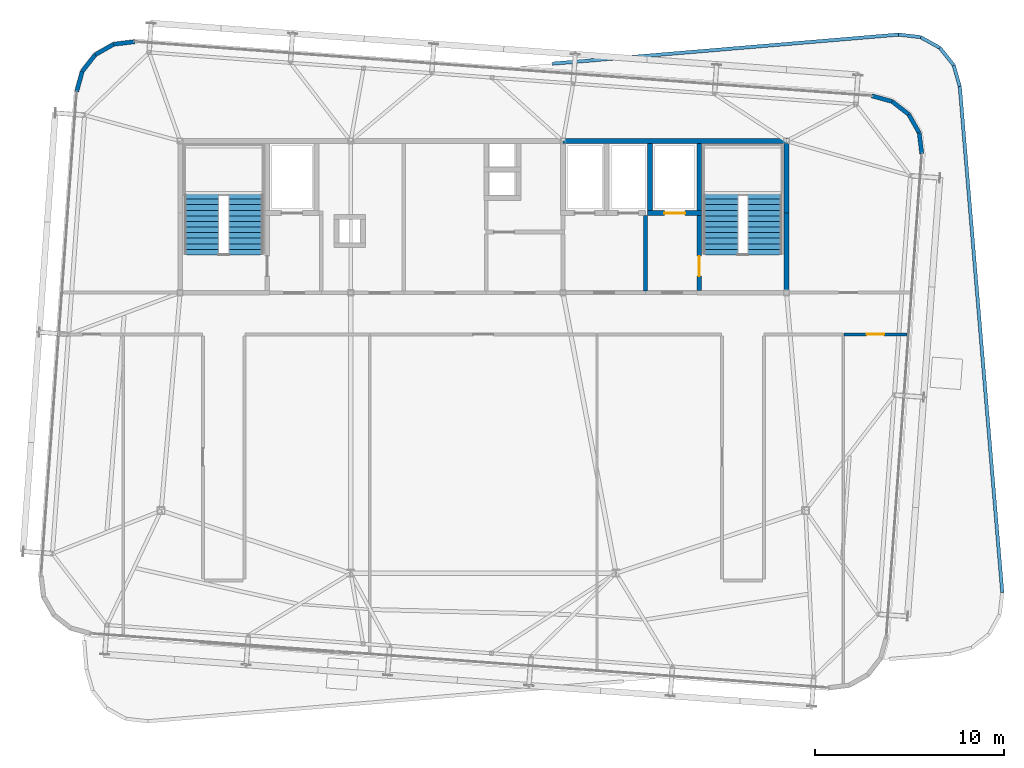
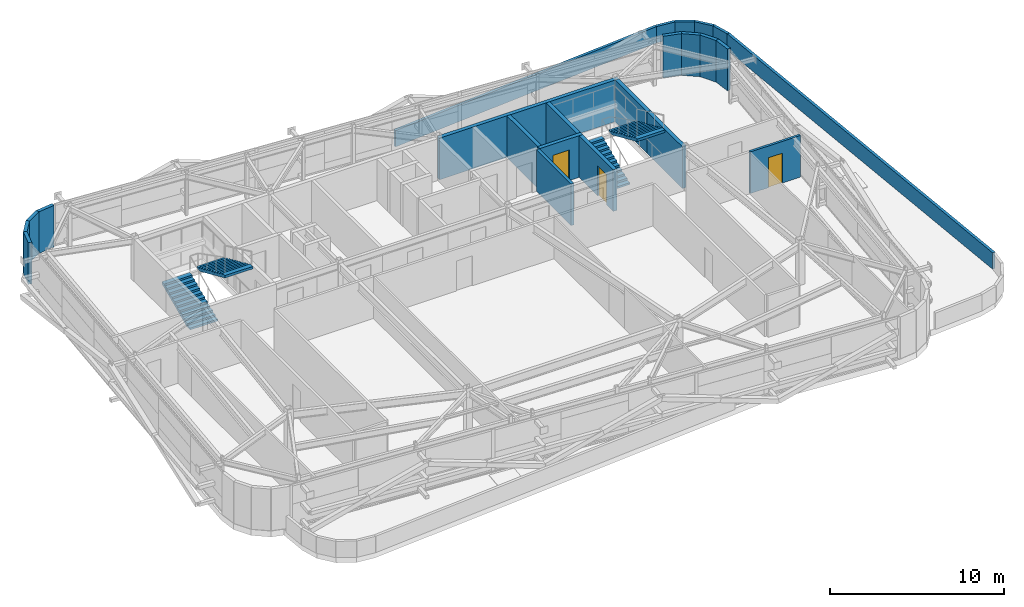
# One storey, part 35 of 37: 23 walls, 4 stair flights, 3 doors, 3 openings, 2 elements without a shape of their own.
"""IFC4 building model written with IfcOpenShell, lengths in metres."""

from ifc_helpers import new_model, si_unit, direction, frame, frame_2d, origin, place, context, subcontext, project, spatial, polyline, rectangle, outline, extrude, source, transform, mapped, material, layer, layer_set, type_object, element, fill, aggregate, save


model = new_model("IFC4")

# Units and contexts
model_context = context("Model", 3, precision=1e-05, world=origin(), true_north=direction((0.0, 1.0)))
body_context = subcontext(model_context, "Body", "Model", "MODEL_VIEW")
ifc_project = project(units=[si_unit("LENGTHUNIT", "METRE"), si_unit("AREAUNIT", "SQUARE_METRE"), si_unit("VOLUMEUNIT", "CUBIC_METRE"), si_unit("PLANEANGLEUNIT", "RADIAN"), si_unit("MASSUNIT", "GRAM", prefix="KILO")], contexts=[model_context])

# Site, building, storey
site_placement = place(None, origin())
site = spatial("IfcSite", under=ifc_project, at=site_placement, CompositionType="ELEMENT")
building_placement = place(site_placement, origin())
building = spatial("IfcBuilding", under=site, at=building_placement, Name="Taldren Reach Tower", CompositionType="ELEMENT")
storey_placement = place(building_placement, frame((0.0, 0.0, 211.39990234375)))
storey = spatial("IfcBuildingStorey", under=building, at=storey_placement, Name="L64", CompositionType="ELEMENT", Elevation=211.39990234375)

# Walls
ifc_material_1 = material(Name="Pale Champagne Anodised Aluminium Cladding", Category="aluminium")
ifc_layer_1 = layer(ifc_material_1, 0.04, Name="Pale Champagne Anodised Aluminium Cladding", Category="aluminium")
ifc_material_2 = material(Name="Mineral Wool Acoustic Insulation", Category="insulation")
ifc_layer_2 = layer(ifc_material_2, 0.06, Name="Mineral Wool Acoustic Insulation", Category="insulation")
ifc_material_3 = material(Name="Steel Gr 350 (C350L0)", Category="steel")
ifc_layer_3 = layer(ifc_material_3, 0.12, Name="Steel Gr 350 (C350L0)", Category="steel")
ifc_layer_set_1 = layer_set([ifc_layer_1, ifc_layer_2, ifc_layer_3], Name="Pale Champagne Aluminium Cladding and Steel Gr 350 Stud Framing")
wall_type_1 = type_object("IfcWallType", Name="EW-CRN-220", PredefinedType="SOLIDWALL", material=ifc_layer_set_1)
shared_shape_1 = source(origin(), body_context, "Body", "SweptSolid", [
    extrude(rectangle(XDim=1.115966796875, YDim=0.219970703125, at=frame_2d((0.55810546875, 0.0))), origin(), (0.0, 0.0, 1.0), 2.93017578125),
])
for number, where, z_axis, x_axis, name in (
    (1, (58.137451171875, 31.328125, 0.0), (0.0, 0.0, 1.0), (-0.122742076028, 0.992438604032, 0.0), "Rounded-corner pale-metal facade wall L64-NE1"),
    (2, (57.4501953125, 33.40625, 0.0), (0.0, 0.0, 1.0), (-0.788597772321, 0.614909386406, 0.0), "Rounded-corner pale-metal facade wall L64-NE3"),
    (3, (14.52099609375, 36.558837890625, 0.0), (0.0, 0.0, 1.0), (-0.614909386406, -0.788597772321, 0.0), "Rounded-corner pale-metal facade wall L64-NW3"),
):
    element("IfcWall", number, at=place(storey_placement, frame(where, z_axis=z_axis, x_axis=x_axis)), inside=storey, type_object=wall_type_1, Name=name, PredefinedType="SOLIDWALL", context=body_context, shape_type="MappedRepresentation", body=[
        mapped(shared_shape_1, transform((0.0, 0.0, 0.0), scale=1.0)),
    ])
shared_shape_2 = source(origin(), body_context, "Body", "SweptSolid", [
    extrude(rectangle(XDim=1.11572265625, YDim=0.219970703125, at=frame_2d((0.557861328125, 0.0))), origin(), (0.0, 0.0, 1.0), 2.93017578125),
])
for number, where, z_axis, x_axis, name in (
    (4, (58.00048828125, 32.435546875, 0.0), (0.0, 0.0, 1.0), (-0.493167138628, 0.869934579941, 0.0), "Rounded-corner pale-metal facade wall L64-NE2"),
    (5, (56.570068359375, 34.092529296875, 0.0), (0.0, 0.0, 1.0), (-0.963833843713, 0.266503886865, 0.0), "Rounded-corner pale-metal facade wall L64-NE4"),
    (6, (15.49169921875, 37.109130859375, 0.0), (0.0, 0.0, 1.0), (-0.869934579941, -0.493167138628, 0.0), "Rounded-corner pale-metal facade wall L64-NW2"),
    (7, (13.834716796875, 35.6787109375, 0.0), (0.0, 0.0, 1.0), (-0.266300605026, -0.963890028874, 0.0), "Rounded-corner pale-metal facade wall L64-NW4"),
):
    element("IfcWall", number, at=place(storey_placement, frame(where, z_axis=z_axis, x_axis=x_axis)), inside=storey, type_object=wall_type_1, Name=name, PredefinedType="SOLIDWALL", context=body_context, shape_type="MappedRepresentation", body=[
        mapped(shared_shape_2, transform((0.0, 0.0, 0.0), scale=1.0)),
    ])
shared_shape_3 = source(origin(), body_context, "Body", "SweptSolid", [
    extrude(rectangle(XDim=1.1162109375, YDim=0.219970703125, at=frame_2d((0.55810546875, 0.0))), origin(), (0.0, 0.0, 1.0), 2.93017578125),
])
wall_1_placement = place(storey_placement, frame((16.599365234375, 37.24609375, 0.0), z_axis=(0.0, 0.0, 1.0), x_axis=(-0.992441899189, -0.122715429897, 0.0)))
element("IfcWall", 8, at=wall_1_placement, inside=storey, type_object=wall_type_1, Name="Rounded-corner pale-metal facade wall L64-NW1", PredefinedType="SOLIDWALL", context=body_context, shape_type="MappedRepresentation", body=[
    mapped(shared_shape_3, transform((0.0, 0.0, 0.0), scale=1.0)),
])
ifc_layer_4 = layer(ifc_material_1, 0.03, Name="Pale Champagne Anodised Aluminium Cladding", Category="aluminium")
ifc_material_4 = material(Name="Concrete N40 (40 MPa)", Category="concrete")
ifc_layer_5 = layer(ifc_material_4, 0.15, Name="Concrete N40 (40 MPa)", Category="concrete")
ifc_layer_set_2 = layer_set([ifc_layer_4, ifc_layer_5], Name="Pale Champagne Aluminium Coping and Concrete 40 MPa (N40) Parapet")
wall_type_2 = type_object("IfcWallType", Name="EW-PAR-180", PredefinedType="PARAPET", material=ifc_layer_set_2)
shared_shape_4 = source(origin(), body_context, "Body", "SweptSolid", [
    extrude(rectangle(XDim=1.17041015625, YDim=0.179931640625, at=frame_2d((0.585205078125, 0.0))), origin(), (0.0, 0.0, 1.0), 1.150146484375),
])
for number, where, z_axis, x_axis, name in (
    (9, (58.06640625, 37.489013671875, 0.0), (0.0, 0.0, 1.0), (0.875090435265, -0.48395943023, 0.0), "Setback planter parapet wall L64-1.1"),
    (10, (56.9033203125, 37.62060546875, 0.0), (0.0, 0.0, 1.0), (0.993660444097, -0.112422959565, 0.0), "Setback planter parapet wall L64-1.11"),
):
    element("IfcWall", number, at=place(storey_placement, frame(where, z_axis=z_axis, x_axis=x_axis)), inside=storey, type_object=wall_type_2, Name=name, PredefinedType="PARAPET", context=body_context, shape_type="MappedRepresentation", body=[
        mapped(shared_shape_4, transform((0.0, 0.0, 0.0), scale=1.0)),
    ])
shared_shape_5 = source(origin(), body_context, "Body", "SweptSolid", [
    extrude(rectangle(XDim=1.170654296875, YDim=0.179931640625, at=frame_2d((0.58544921875, 0.0))), origin(), (0.0, 0.0, 1.0), 1.150146484375),
])
for number, where, z_axis, x_axis, name in (
    (11, (59.090576171875, 36.922607421875, 0.0), (0.0, 0.0, 1.0), (0.623167829012, -0.782088138821, 0.0), "Setback planter parapet wall L64-1.2"),
    (12, (59.820068359375, 36.007080078125, 0.0), (0.0, 0.0, 1.0), (0.276538571653, -0.961002819137, 0.0), "Setback planter parapet wall L64-1.3"),
):
    element("IfcWall", number, at=place(storey_placement, frame(where, z_axis=z_axis, x_axis=x_axis)), inside=storey, type_object=wall_type_2, Name=name, PredefinedType="PARAPET", context=body_context, shape_type="MappedRepresentation", body=[
        mapped(shared_shape_5, transform((0.0, 0.0, 0.0), scale=1.0)),
    ])
shared_shape_6 = source(origin(), body_context, "Body", "SweptSolid", [
    extrude(rectangle(XDim=26.7998046875, YDim=0.179931640625, at=frame_2d((13.39990234375, 0.0))), origin(), (0.0, 0.0, 1.0), 1.150146484375),
])
wall_2_placement = place(storey_placement, frame((60.143798828125, 34.882080078125, 0.0), z_axis=(0.0, 0.0, 1.0), x_axis=(0.083673473834, -0.996493226157, 0.0)))
element("IfcWall", 13, at=wall_2_placement, inside=storey, type_object=wall_type_2, Name="Setback planter parapet wall L64-1.4", PredefinedType="PARAPET", context=body_context, shape_type="MappedRepresentation", body=[
    mapped(shared_shape_6, transform((0.0, 0.0, 0.0), scale=1.0)),
])
shared_shape_7 = source(origin(), body_context, "Body", "SweptSolid", [
    extrude(rectangle(XDim=18.316650390625, YDim=0.179931640625, at=frame_2d((9.158203125, 0.0))), origin(), (0.0, 0.0, 1.0), 1.150146484375),
])
wall_3_placement = place(storey_placement, frame((38.65087890625, 36.087890625, 0.0), z_axis=(0.0, 0.0, 1.0), x_axis=(0.996492793169, 0.08367863026, 0.0)))
element("IfcWall", 14, at=wall_3_placement, inside=storey, type_object=wall_type_2, Name="Setback planter parapet wall L64-1.10", PredefinedType="PARAPET", context=body_context, shape_type="MappedRepresentation", body=[
    mapped(shared_shape_7, transform((0.0, 0.0, 0.0), scale=1.0)),
])
ifc_material_5 = material(Name="Concrete S65 (65 MPa)", Category="concrete")
ifc_layer_6 = layer(ifc_material_5, 0.25)
ifc_layer_set_3 = layer_set([ifc_layer_6], Name="Concrete S65 (65 MPa)")
wall_type_3 = type_object("IfcWallType", Name="IW-CORE-250", PredefinedType="SHEAR", material=ifc_layer_set_3)
shared_shape_8 = source(origin(), body_context, "Body", "SweptSolid", [
    extrude(rectangle(XDim=11.925048828125, YDim=0.25, at=frame_2d((5.96240234375, 0.0))), origin(), (0.0, 0.0, 1.0), 2.93017578125),
])
wall_4_placement = place(storey_placement, frame((39.199951171875, 32.0, 0.0), z_axis=(0.0, 0.0, 1.0), x_axis=(1.0, 0.0, 0.0)))
element("IfcWall", 15, at=wall_4_placement, inside=storey, type_object=wall_type_3, Name="Rear Core Shear Wall W-CORE-L64-NORTH3", PredefinedType="SHEAR", context=body_context, shape_type="MappedRepresentation", body=[
    mapped(shared_shape_8, transform((0.0, 0.0, 0.0), scale=1.0)),
])
shared_shape_9 = source(origin(), body_context, "Body", "SweptSolid", [
    extrude(rectangle(XDim=4.074951171875, YDim=0.25, at=frame_2d((2.03759765625, 0.0))), origin(), (0.0, 0.0, 1.0), 2.93017578125),
])
wall_5_placement = place(storey_placement, frame((51.0, 24.125, 0.0), z_axis=(0.0, 0.0, 1.0), x_axis=(0.0, 1.0, 0.0)))
element("IfcWall", 16, at=wall_5_placement, inside=storey, type_object=wall_type_3, Name="Rear Core Shear Wall W-CORE-L64-EAST1", PredefinedType="SHEAR", context=body_context, shape_type="MappedRepresentation", body=[
    mapped(shared_shape_9, transform((0.0, 0.0, 0.0), scale=1.0)),
])
shared_shape_10 = source(origin(), body_context, "Body", "SweptSolid", [
    extrude(rectangle(XDim=3.675048828125, YDim=0.25, at=frame_2d((1.83740234375, 0.0))), origin(), (0.0, 0.0, 1.0), 2.93017578125),
])
wall_6_placement = place(storey_placement, frame((51.0, 28.199951171875, 0.0), z_axis=(0.0, 0.0, 1.0), x_axis=(0.0, 1.0, 0.0)))
element("IfcWall", 17, at=wall_6_placement, inside=storey, type_object=wall_type_3, Name="Rear Core Shear Wall W-CORE-L64-EAST2", PredefinedType="SHEAR", context=body_context, shape_type="MappedRepresentation", body=[
    mapped(shared_shape_10, transform((0.0, 0.0, 0.0), scale=1.0)),
])
shared_shape_11 = source(origin(), body_context, "Body", "SweptSolid", [
    extrude(rectangle(XDim=3.550048828125, YDim=0.25, at=frame_2d((1.77490234375, 0.0))), origin(), (0.0, 0.0, 1.0), 2.93017578125),
])
for number, where, z_axis, x_axis, name in (
    (18, (46.39990234375, 31.875, 0.0), (0.0, 0.0, 1.0), (0.0, -1.0, 0.0), "Rear Core Shear Wall W-INT-L64-008"),
    (19, (43.800048828125, 31.875, 0.0), (0.0, 0.0, 1.0), (0.0, -1.0, 0.0), "Rear Core Shear Wall W-INT-L64-012"),
):
    element("IfcWall", number, at=place(storey_placement, frame(where, z_axis=z_axis, x_axis=x_axis)), inside=storey, type_object=wall_type_3, Name=name, PredefinedType="SHEAR", context=body_context, shape_type="MappedRepresentation", body=[
        mapped(shared_shape_11, transform((0.0, 0.0, 0.0), scale=1.0)),
    ])

# Wall, opening, door
shared_shape_12 = source(origin(), body_context, "Body", "SweptSolid", [
    extrude(rectangle(XDim=3.949951171875, YDim=0.25, at=frame_2d((1.97509765625, 0.0))), origin(), (0.0, 0.0, 1.0), 2.93017578125),
])
wall_7_placement = place(storey_placement, frame((46.39990234375, 28.074951171875, 0.0), z_axis=(0.0, 0.0, 1.0), x_axis=(0.0, -1.0, 0.0)))
wall_7 = element("IfcWall", 20, at=wall_7_placement, inside=storey, type_object=wall_type_3, Name="Rear Core Shear Wall W-INT-L64-009", PredefinedType="SHEAR", context=body_context, shape_type="MappedRepresentation", body=[
    mapped(shared_shape_12, transform((0.0, 0.0, 0.0), scale=1.0)),
])
shared_shape_13 = source(origin(), body_context, "Body", "SweptSolid", [
    extrude(rectangle(XDim=1.050048828125, YDim=2.10009765625, at=frame_2d((0.52490234375, 1.050048828125))), frame((0.0, 0.135009765625, 0.0), z_axis=(0.0, -1.0, 0.0), x_axis=(1.0, 0.0, 0.0)), (0.0, 0.0, 1.0), 0.27001953125),
])
opening_1_placement = place(wall_7_placement, frame((2.14990234375, 0.0, 0.0)))
opening_1 = element("IfcOpeningElement", 21, at=opening_1_placement, cuts=wall_7, Name="Opening DF-105", PredefinedType="OPENING", context=body_context, shape_type="MappedRepresentation", body=[
    mapped(shared_shape_13, transform((0.0, 0.0, 0.0), scale=1.0)),
])
ifc_material_6 = material(Name="Fire-Rated Care and Stair Exit Door")
door_type_1 = type_object("IfcDoorType", Name="ID-FIRE-105", OperationType="NOTDEFINED", PredefinedType="DOOR", material=ifc_material_6)
shared_shape_14 = source(origin(), body_context, "Body", "SweptSolid", [
    extrude(rectangle(XDim=1.050048828125, YDim=2.10009765625, at=frame_2d((0.52490234375, 1.050048828125))), frame((0.0, 0.02490234375, 0.0), z_axis=(0.0, -1.0, 0.0), x_axis=(1.0, 0.0, 0.0)), (0.0, 0.0, 1.0), 0.050048828125),
])
door_1_placement = place(opening_1_placement, origin())
door_1 = element("IfcDoor", 22, at=door_1_placement, inside=storey, type_object=door_type_1, Name="Fire Exit Stair Door DR-L64-003", OperationType="SINGLE_SWING_RIGHT", OverallHeight=2.10009765625, OverallWidth=1.050048828125, PredefinedType="DOOR", context=body_context, shape_type="MappedRepresentation", body=[
    mapped(shared_shape_14, transform((0.0, 0.0, 0.0), scale=1.0)),
])
fill(opening_1, door_1)

shared_shape_15 = source(origin(), body_context, "Body", "SweptSolid", [
    extrude(rectangle(XDim=2.849853515625, YDim=0.25, at=frame_2d((1.4248046875, 0.0))), origin(), (0.0, 0.0, 1.0), 2.93017578125),
])
wall_8_placement = place(storey_placement, frame((43.675048828125, 28.199951171875, 0.0), z_axis=(0.0, 0.0, 1.0), x_axis=(1.0, 0.0, 0.0)))
wall_8 = element("IfcWall", 23, at=wall_8_placement, inside=storey, type_object=wall_type_3, Name="Rear Core Shear Wall W-INT-L64-011", PredefinedType="SHEAR", context=body_context, shape_type="MappedRepresentation", body=[
    mapped(shared_shape_15, transform((0.0, 0.0, 0.0), scale=1.0)),
])
shared_shape_16 = source(origin(), body_context, "Body", "SweptSolid", [
    extrude(rectangle(XDim=1.10009765625, YDim=2.14990234375, at=frame_2d((0.550048828125, 1.074951171875))), frame((0.0, 0.135009765625, 0.0), z_axis=(0.0, -1.0, 0.0), x_axis=(1.0, 0.0, 0.0)), (0.0, 0.0, 1.0), 0.27001953125),
])
opening_2_placement = place(wall_8_placement, frame((0.875, 0.0, 0.0)))
opening_2 = element("IfcOpeningElement", 24, at=opening_2_placement, cuts=wall_8, Name="Opening LD-FL2", PredefinedType="OPENING", context=body_context, shape_type="MappedRepresentation", body=[
    mapped(shared_shape_16, transform((0.0, 0.0, 0.0), scale=1.0)),
])
ifc_material_7 = material(Name="Stainless Steel Gr 316 Emergency Lift Landing Door", Category="steel")
door_type_2 = type_object("IfcDoorType", Name="LD-EMG-110", OperationType="SLIDING_TO_LEFT", PredefinedType="DOOR", material=ifc_material_7)
shared_shape_17 = source(origin(), body_context, "Body", "SweptSolid", [
    extrude(rectangle(XDim=1.10009765625, YDim=2.14990234375, at=frame_2d((0.550048828125, 1.074951171875))), frame((0.0, 0.02490234375, 0.0), z_axis=(0.0, -1.0, 0.0), x_axis=(1.0, 0.0, 0.0)), (0.0, 0.0, 1.0), 0.050048828125),
])
door_2_placement = place(opening_2_placement, origin())
door_2 = element("IfcDoor", 25, at=door_2_placement, inside=storey, type_object=door_type_2, Name="Lift Landing Door LD-FL2-L64", OperationType="SLIDING_TO_LEFT", OverallHeight=2.14990234375, OverallWidth=1.10009765625, PredefinedType="DOOR", context=body_context, shape_type="MappedRepresentation", body=[
    mapped(shared_shape_17, transform((0.0, 0.0, 0.0), scale=1.0)),
])
fill(opening_2, door_2)

# Wall
ifc_material_8 = material(Name="Concrete S50 (50 MPa)", Category="concrete")
ifc_layer_7 = layer(ifc_material_8, 0.199951171875)
ifc_layer_set_4 = layer_set([ifc_layer_7], Name="Concrete S50 (50 MPa)")
wall_type_4 = type_object("IfcWallType", Name="IW-CORE-200", PredefinedType="SOLIDWALL", material=ifc_layer_set_4)
shared_shape_18 = source(origin(), body_context, "Body", "SweptSolid", [
    extrude(rectangle(XDim=3.974853515625, YDim=0.199951171875, at=frame_2d((1.9873046875, 0.0))), origin(), (0.0, 0.0, 1.0), 2.93017578125),
])
wall_9_placement = place(storey_placement, frame((43.550048828125, 28.074951171875, 0.0), z_axis=(0.0, 0.0, 1.0), x_axis=(0.0, -1.0, 0.0)))
element("IfcWall", 26, at=wall_9_placement, inside=storey, type_object=wall_type_4, Name="Rear Core Shear Wall W-INT-L64-013", PredefinedType="SOLIDWALL", context=body_context, shape_type="MappedRepresentation", body=[
    mapped(shared_shape_18, transform((0.0, 0.0, 0.0), scale=1.0)),
])

# Wall, opening, door
ifc_material_9 = material(Name="Fire-Rated Acoustic Plasterboard Stud Wall", Category="gypsum")
ifc_layer_8 = layer(ifc_material_9, 0.159912109375)
ifc_layer_set_5 = layer_set([ifc_layer_8], Name="Fire-Rated Acoustic Plasterboard Stud Wall")
wall_type_5 = type_object("IfcWallType", Name="IW-FIRE-160", PredefinedType="PARTITIONING", material=ifc_layer_set_5)
shared_shape_19 = source(origin(), body_context, "Body", "SweptSolid", [
    extrude(rectangle(XDim=3.3330078125, YDim=0.159912109375, at=frame_2d((1.66650390625, 0.0))), origin(), (0.0, 0.0, 1.0), 2.93017578125),
])
wall_10_placement = place(storey_placement, frame((57.353271484375, 21.800048828125, 0.0), z_axis=(0.0, 0.0, 1.0), x_axis=(-1.0, 0.0, 0.0)))
wall_10 = element("IfcWall", 27, at=wall_10_placement, inside=storey, type_object=wall_type_5, Name="Interior Partition Wall W-INT-L64-051", PredefinedType="PARTITIONING", context=body_context, shape_type="MappedRepresentation", body=[
    mapped(shared_shape_19, transform((0.0, 0.0, 0.0), scale=1.0)),
])
shared_shape_20 = source(origin(), body_context, "Body", "SweptSolid", [
    extrude(rectangle(XDim=0.919921875, YDim=2.10009765625, at=frame_2d((0.4599609375, 1.050048828125))), frame((0.0, 0.08984375, 0.0), z_axis=(0.0, -1.0, 0.0), x_axis=(1.0, 0.0, 0.0)), (0.0, 0.0, 1.0), 0.179931640625),
])
opening_3_placement = place(wall_10_placement, frame((1.20654296875, 0.0, 0.0)))
opening_3 = element("IfcOpeningElement", 28, at=opening_3_placement, cuts=wall_10, Name="Opening DI-092", PredefinedType="OPENING", context=body_context, shape_type="MappedRepresentation", body=[
    mapped(shared_shape_20, transform((0.0, 0.0, 0.0), scale=1.0)),
])
ifc_material_10 = material(Name="Solid-Core Timber Suite Door", Category="wood")
door_type_3 = type_object("IfcDoorType", Name="ID-INT-092", OperationType="NOTDEFINED", PredefinedType="DOOR", material=ifc_material_10)
shared_shape_21 = source(origin(), body_context, "Body", "SweptSolid", [
    extrude(rectangle(XDim=0.919921875, YDim=2.10009765625, at=frame_2d((0.4599609375, 1.050048828125))), frame((0.0, 0.02490234375, 0.0), z_axis=(0.0, -1.0, 0.0), x_axis=(1.0, 0.0, 0.0)), (0.0, 0.0, 1.0), 0.050048828125),
])
door_3_placement = place(opening_3_placement, origin())
door_3 = element("IfcDoor", 29, at=door_3_placement, inside=storey, type_object=door_type_3, Name="Interior Door DR-L64-014", OperationType="SINGLE_SWING_LEFT", OverallHeight=2.10009765625, OverallWidth=0.919921875, PredefinedType="DOOR", context=body_context, shape_type="MappedRepresentation", body=[
    mapped(shared_shape_21, transform((0.0, 0.0, 0.0), scale=1.0)),
])
fill(opening_3, door_3)

# Stair, stair flights
stair_type = type_object("IfcStairType", Name="ST-HT-315", PredefinedType="HALF_TURN_STAIR", material=ifc_material_8)
stair_1_placement = place(storey_placement, origin())
stair_1 = element("IfcStair", 30, at=stair_1_placement, inside=storey, type_object=stair_type, Name="Fire-isolated exit stair ST1 L64", PredefinedType="HALF_TURN_STAIR")
stair_flight_type = type_object("IfcStairFlightType", Name="SF-STR-315", PredefinedType="STRAIGHT", material=ifc_material_8)
stair_flight_1_placement = place(storey_placement, frame((20.139892578125, 25.989990234375, 0.0), z_axis=(0.0, 0.0, 1.0), x_axis=(0.0, 1.0, 0.0)))
stair_flight_1 = element("IfcStairFlight", 31, at=stair_flight_1_placement, type_object=stair_flight_type, Name="ST1 flight 1", NumberOfRisers=12, NumberOfTreads=11, PredefinedType="STRAIGHT", RiserHeight=0.13125, TreadLength=0.295, context=body_context, shape_type="SweptSolid", body=[
    extrude(outline(polyline([(0.0, 0.0), (0.0, 0.13134765625), (0.294921875, 0.13134765625), (0.294921875, 0.262451171875), (0.590087890625, 0.262451171875), (0.590087890625, 0.393798828125), (0.885009765625, 0.393798828125), (0.885009765625, 0.52490234375), (1.179931640625, 0.52490234375), (1.179931640625, 0.65625), (1.47509765625, 0.65625), (1.47509765625, 0.78759765625), (1.77001953125, 0.78759765625), (1.77001953125, 0.918701171875), (2.06494140625, 0.918701171875), (2.06494140625, 1.050048828125), (2.360107421875, 1.050048828125), (2.360107421875, 1.18115234375), (2.655029296875, 1.18115234375), (2.655029296875, 1.3125), (2.949951171875, 1.3125), (2.949951171875, 1.44384765625), (3.2451171875, 1.44384765625), (3.2451171875, 1.574951171875), (3.2451171875, 1.268798828125), (0.393310546875, 0.0), (0.0, 0.0)])), frame((0.0, 0.919921875, 0.0), z_axis=(0.0, -1.0, 0.0), x_axis=(1.0, 0.0, 0.0)), (0.0, 0.0, 1.0), 1.840087890625),
])
stair_flight_2_placement = place(storey_placement, frame((22.4599609375, 29.235107421875, 1.5751953125), z_axis=(0.0, 0.0, 1.0), x_axis=(0.0, -1.0, 0.0)))
stair_flight_2 = element("IfcStairFlight", 32, at=stair_flight_2_placement, type_object=stair_flight_type, Name="ST1 flight 2", NumberOfRisers=12, NumberOfTreads=11, PredefinedType="STRAIGHT", RiserHeight=0.13125, TreadLength=0.295, context=body_context, shape_type="SweptSolid", body=[
    extrude(outline(polyline([(0.0, 0.0), (0.0, 0.13134765625), (0.294921875, 0.13134765625), (0.294921875, 0.262451171875), (0.590087890625, 0.262451171875), (0.590087890625, 0.393798828125), (0.885009765625, 0.393798828125), (0.885009765625, 0.52490234375), (1.179931640625, 0.52490234375), (1.179931640625, 0.65625), (1.47509765625, 0.65625), (1.47509765625, 0.78759765625), (1.77001953125, 0.78759765625), (1.77001953125, 0.918701171875), (2.06494140625, 0.918701171875), (2.06494140625, 1.050048828125), (2.360107421875, 1.050048828125), (2.360107421875, 1.18115234375), (2.655029296875, 1.18115234375), (2.655029296875, 1.3125), (2.949951171875, 1.3125), (2.949951171875, 1.44384765625), (3.2451171875, 1.44384765625), (3.2451171875, 1.574951171875), (3.2451171875, 1.268798828125), (0.393310546875, 0.0), (0.0, 0.0)])), frame((0.0, 0.919921875, 0.0), z_axis=(0.0, -1.0, 0.0), x_axis=(1.0, 0.0, 0.0)), (0.0, 0.0, 1.0), 1.840087890625),
])
aggregate(stair_1, [stair_flight_1, stair_flight_2])

stair_2_placement = place(storey_placement, origin())
stair_2 = element("IfcStair", 33, at=stair_2_placement, inside=storey, type_object=stair_type, Name="Fire-isolated exit stair ST2 L64", PredefinedType="HALF_TURN_STAIR")
stair_flight_3_placement = place(storey_placement, frame((47.5400390625, 25.989990234375, 0.0), z_axis=(0.0, 0.0, 1.0), x_axis=(0.0, 1.0, 0.0)))
stair_flight_3 = element("IfcStairFlight", 34, at=stair_flight_3_placement, type_object=stair_flight_type, Name="ST2 flight 1", NumberOfRisers=12, NumberOfTreads=11, PredefinedType="STRAIGHT", RiserHeight=0.13125, TreadLength=0.295, context=body_context, shape_type="SweptSolid", body=[
    extrude(outline(polyline([(0.0, 0.0), (0.0, 0.13134765625), (0.294921875, 0.13134765625), (0.294921875, 0.262451171875), (0.590087890625, 0.262451171875), (0.590087890625, 0.393798828125), (0.885009765625, 0.393798828125), (0.885009765625, 0.52490234375), (1.179931640625, 0.52490234375), (1.179931640625, 0.65625), (1.47509765625, 0.65625), (1.47509765625, 0.78759765625), (1.77001953125, 0.78759765625), (1.77001953125, 0.918701171875), (2.06494140625, 0.918701171875), (2.06494140625, 1.050048828125), (2.360107421875, 1.050048828125), (2.360107421875, 1.18115234375), (2.655029296875, 1.18115234375), (2.655029296875, 1.3125), (2.949951171875, 1.3125), (2.949951171875, 1.44384765625), (3.2451171875, 1.44384765625), (3.2451171875, 1.574951171875), (3.2451171875, 1.268798828125), (0.393310546875, 0.0), (0.0, 0.0)])), frame((0.0, 0.919921875, 0.0), z_axis=(0.0, -1.0, 0.0), x_axis=(1.0, 0.0, 0.0)), (0.0, 0.0, 1.0), 1.840087890625),
])
stair_flight_4_placement = place(storey_placement, frame((49.860107421875, 29.235107421875, 1.5751953125), z_axis=(0.0, 0.0, 1.0), x_axis=(0.0, -1.0, 0.0)))
stair_flight_4 = element("IfcStairFlight", 35, at=stair_flight_4_placement, type_object=stair_flight_type, Name="ST2 flight 2", NumberOfRisers=12, NumberOfTreads=11, PredefinedType="STRAIGHT", RiserHeight=0.13125, TreadLength=0.295, context=body_context, shape_type="SweptSolid", body=[
    extrude(outline(polyline([(0.0, 0.0), (0.0, 0.13134765625), (0.294921875, 0.13134765625), (0.294921875, 0.262451171875), (0.590087890625, 0.262451171875), (0.590087890625, 0.393798828125), (0.885009765625, 0.393798828125), (0.885009765625, 0.52490234375), (1.179931640625, 0.52490234375), (1.179931640625, 0.65625), (1.47509765625, 0.65625), (1.47509765625, 0.78759765625), (1.77001953125, 0.78759765625), (1.77001953125, 0.918701171875), (2.06494140625, 0.918701171875), (2.06494140625, 1.050048828125), (2.360107421875, 1.050048828125), (2.360107421875, 1.18115234375), (2.655029296875, 1.18115234375), (2.655029296875, 1.3125), (2.949951171875, 1.3125), (2.949951171875, 1.44384765625), (3.2451171875, 1.44384765625), (3.2451171875, 1.574951171875), (3.2451171875, 1.268798828125), (0.393310546875, 0.0), (0.0, 0.0)])), frame((0.0, 0.919921875, 0.0), z_axis=(0.0, -1.0, 0.0), x_axis=(1.0, 0.0, 0.0)), (0.0, 0.0, 1.0), 1.840087890625),
])
aggregate(stair_2, [stair_flight_3, stair_flight_4])

save(model, "model.ifc")
